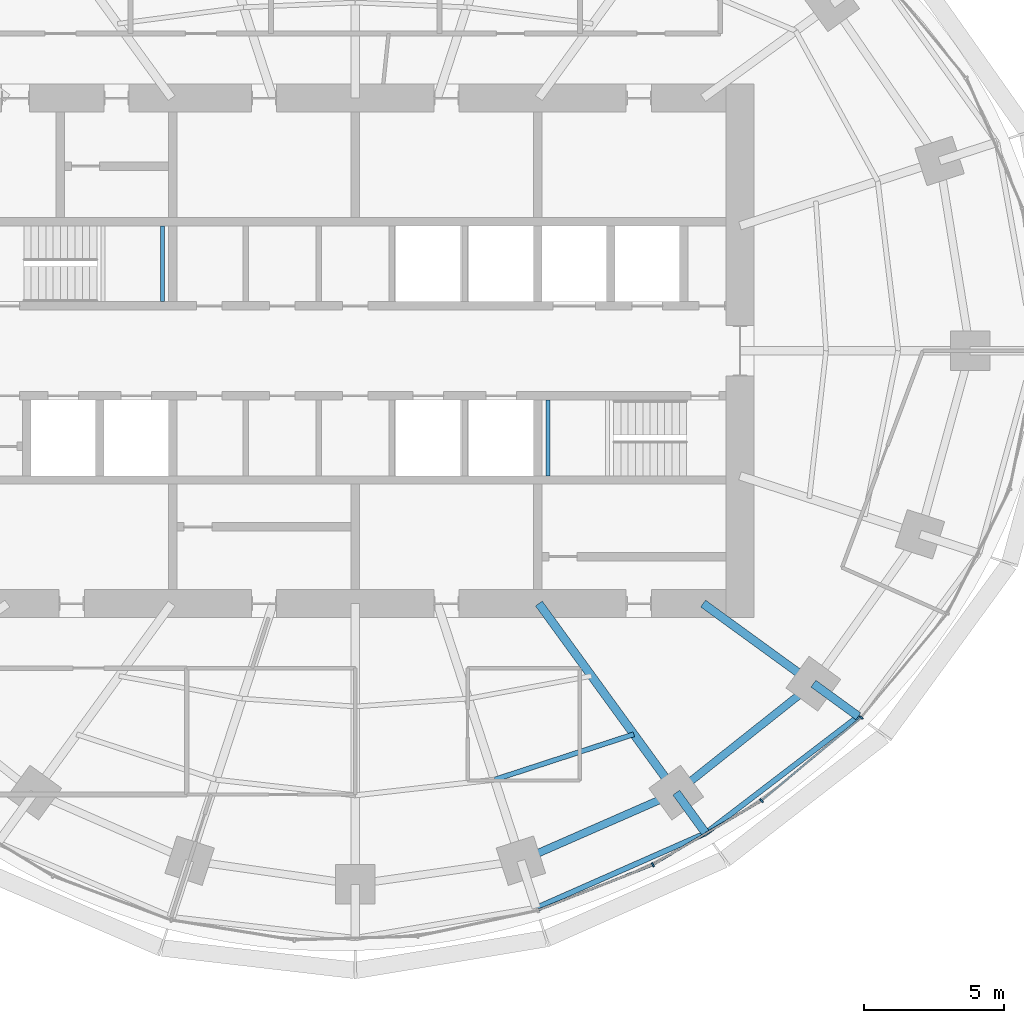
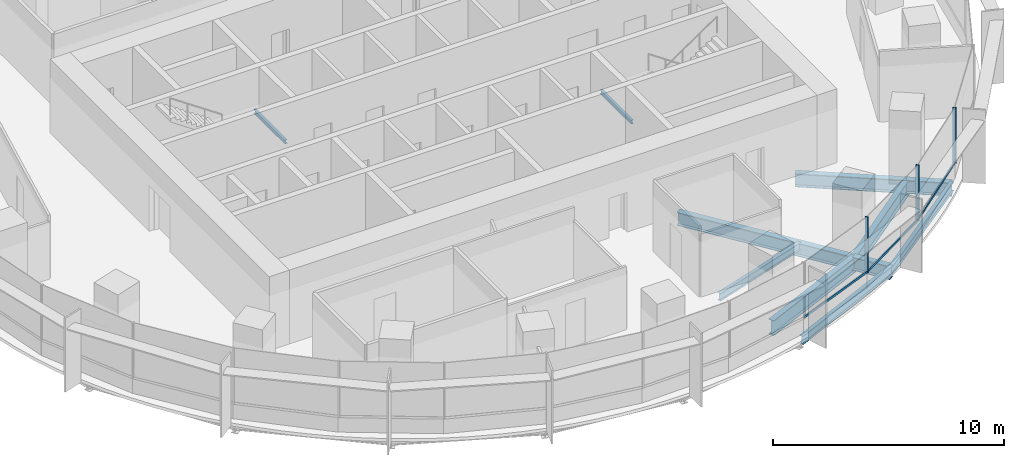
# One storey, part 5 of 14: 11 beams, 6 members, 2 elements without a shape of their own.
"""IFC4 building model written with IfcOpenShell, lengths in metres."""

import ifcopenshell
import ifcopenshell.guid

model = None  # the IFC model being written
_history = None  # IfcOwnerHistory: only IFC2X3 demands one
_inside = {}  # id of a spatial element -> (the spatial element, [elements in it])
_under = {}  # id of a project, library or spatial element -> (it, [spatial elements below it])
_declared = {}  # id of a project -> (the project, [libraries it declares])
_typed = {}  # id of a type object -> (the type object, [elements of that type])
_made_of = {}  # id of a material, layer set ... -> (it, [elements and type objects made of it])


def new_model(schema):
    """Start an empty IFC model of exactly this schema.

    Asked for "IFC4X3", IfcOpenShell would pick the latest addendum, in which some entities
    have other attributes; the version numbers below select the first issue.
    IFC2X3 requires an IfcOwnerHistory on every rooted entity: one is made here for all.
    """
    global model, _history
    if schema == "IFC4X3":
        model = ifcopenshell.file(schema_version=(4, 3, 0, 0))
    else:
        model = ifcopenshell.file(schema=schema)
    _inside.clear()
    _under.clear()
    _declared.clear()
    _typed.clear()
    _made_of.clear()
    _history = None
    if model.schema == "IFC2X3":
        org = make("IfcOrganization", Name="unknown")
        user = make(
            "IfcPersonAndOrganization",
            ThePerson=make("IfcPerson", FamilyName="unknown"),
            TheOrganization=org,
        )
        app = make(
            "IfcApplication",
            ApplicationDeveloper=org,
            Version="unknown",
            ApplicationFullName="unknown",
            ApplicationIdentifier="unknown",
        )
        _history = make(
            "IfcOwnerHistory",
            OwningUser=user,
            OwningApplication=app,
            ChangeAction="ADDED",
            CreationDate=0,
        )
    return model


def make(cls, **values):
    """One entity of the class cls with the attributes given. An attribute that is None is left unset."""
    return model.create_entity(
        cls, **{name: value for name, value in values.items() if value is not None}
    )


def rooted(cls, **values):
    """An entity with a GlobalId (a new one), such as an element, a storey or a relation."""
    return make(cls, GlobalId=ifcopenshell.guid.new(), OwnerHistory=_history, **values)


def si_unit(unit_type, name, prefix=None):
    """IfcSIUnit, for example si_unit("LENGTHUNIT", "METRE", prefix="MILLI")."""
    return make("IfcSIUnit", UnitType=unit_type, Prefix=prefix, Name=name)


def assignment(units):
    """IfcUnitAssignment: the units of a project."""
    return None if units is None else make("IfcUnitAssignment", Units=units)


def point(xyz):
    """IfcCartesianPoint."""
    return None if xyz is None else make("IfcCartesianPoint", Coordinates=xyz)


def direction(xyz):
    """IfcDirection."""
    return None if xyz is None else make("IfcDirection", DirectionRatios=xyz)


def frame(location, z_axis=None, x_axis=None):
    """IfcAxis2Placement3D, a coordinate frame: its origin and axes. An axis left out is left unset."""
    return make(
        "IfcAxis2Placement3D",
        Location=point(location),
        Axis=direction(z_axis),
        RefDirection=direction(x_axis),
    )


def frame_2d(location, x_axis=None):
    """IfcAxis2Placement2D, a coordinate frame in the plane: its origin and x axis."""
    return make(
        "IfcAxis2Placement2D", Location=point(location), RefDirection=direction(x_axis)
    )


def origin():
    """The frame at (0, 0, 0) with its axes left unset."""
    return frame((0.0, 0.0, 0.0))


def origin_2d():
    """The frame at (0, 0) in the plane with its x axis left unset."""
    return frame_2d((0.0, 0.0))


def place(relative_to, where):
    """IfcLocalPlacement: puts the frame where relative to a parent placement (None: the world)."""
    return make(
        "IfcLocalPlacement", PlacementRelTo=relative_to, RelativePlacement=where
    )


def context(
    kind, dimensions, precision=None, world=None, true_north=None, identifier=None
):
    """IfcGeometricRepresentationContext, for example the 3D "Model" context."""
    return make(
        "IfcGeometricRepresentationContext",
        ContextIdentifier=identifier,
        ContextType=kind,
        CoordinateSpaceDimension=dimensions,
        Precision=precision,
        WorldCoordinateSystem=world,
        TrueNorth=true_north,
    )


def subcontext(parent, identifier, kind, view, scale=None):
    """IfcGeometricRepresentationSubContext, for example "Body" below "Model"."""
    return make(
        "IfcGeometricRepresentationSubContext",
        ContextIdentifier=identifier,
        ContextType=kind,
        ParentContext=parent,
        TargetScale=scale,
        TargetView=view,
    )


def project(units=None, contexts=None):
    """IfcProject with its units and contexts."""
    return rooted(
        "IfcProject",
        Name="project",
        RepresentationContexts=contexts,
        UnitsInContext=assignment(units),
    )


def spatial(cls, under=None, at=None, **own):
    """A site, building, storey or space (cls), placed at a placement, below another one or the project."""
    s = rooted(cls, ObjectPlacement=at, **own)
    if under is not None:
        _under.setdefault(under.id(), (under, []))[1].append(s)
    return s


def profile(cls, at=None, kind="AREA", **sizes):
    """A parametric profile (cls). Its sizes go by their IFC names, for example OverallWidth=200.0."""
    return make(cls, ProfileType=kind, Position=at, **sizes)


def rectangle(**sizes):
    """IfcRectangleProfileDef."""
    return profile("IfcRectangleProfileDef", **sizes)


def i_section(**sizes):
    """IfcIShapeProfileDef."""
    return profile("IfcIShapeProfileDef", **sizes)


def extrude(swept, where, along, depth):
    """IfcExtrudedAreaSolid: the profile swept, set in the frame where, extruded along a direction by depth."""
    return make(
        "IfcExtrudedAreaSolid",
        SweptArea=swept,
        Position=where,
        ExtrudedDirection=direction(along),
        Depth=depth,
    )


def shape(context_of_items, identifier, shape_type, items):
    """IfcShapeRepresentation: the items that make up one representation, for example the "Body"."""
    return make(
        "IfcShapeRepresentation",
        ContextOfItems=context_of_items,
        RepresentationIdentifier=identifier,
        RepresentationType=shape_type,
        Items=items,
    )


def material(Name=None, Category=None):
    """IfcMaterial."""
    return make("IfcMaterial", Name=Name, Category=Category)


def material_profile(
    of_material, cross_section, Name=None, Category=None, Priority=None
):
    """IfcMaterialProfile: a cross section and its material."""
    return make(
        "IfcMaterialProfile",
        Name=Name,
        Material=of_material,
        Profile=cross_section,
        Priority=Priority,
        Category=Category,
    )


def profile_set(profiles, Name=None, composite=None):
    """IfcMaterialProfileSet."""
    return make(
        "IfcMaterialProfileSet",
        Name=Name,
        MaterialProfiles=profiles,
        CompositeProfile=composite,
    )


def made_of(thing, what):
    """Note that an element or type object is made of a material, layer set ...; save() writes the relation."""
    if what is not None:
        _made_of.setdefault(what.id(), (what, []))[1].append(thing)
    return thing


def type_object(cls, material=None, **own):
    """A type object (cls), such as IfcWallType, which elements share."""
    return made_of(rooted(cls, **own), material)


def element(
    cls,
    number,
    at=None,
    inside=None,
    cuts=None,
    type_object=None,
    material=None,
    context=None,
    identifier="Body",
    shape_type=None,
    held_by="IfcProductDefinitionShape",
    body=None,
    shapes=None,
    **own,
):
    """One element of the class cls, such as IfcWall. Its Tag is "e" and its number.

    at: its placement. inside: the storey or other place that contains it. cuts: it is an
    opening in that element (IfcRelVoidsElement). A single representation is given by context,
    identifier, shape_type and body (its items); several are given by shapes. held_by: the class
    of the entity that holds the representations. save() writes the other relations.
    """
    e = rooted(cls, Tag="e%d" % number, ObjectPlacement=at, **own)
    if body is not None:
        shapes = [shape(context, identifier, shape_type, body)]
    if shapes is not None:
        e.Representation = make(held_by, Representations=shapes)
    if inside is not None:
        _inside.setdefault(inside.id(), (inside, []))[1].append(e)
    if cuts is not None:
        rooted(
            "IfcRelVoidsElement", RelatingBuildingElement=cuts, RelatedOpeningElement=e
        )
    if type_object is not None:
        _typed.setdefault(type_object.id(), (type_object, []))[1].append(e)
    return made_of(e, material)


def aggregate(whole, parts):
    """IfcRelAggregates: a whole, such as a stair, and the parts it consists of."""
    return rooted("IfcRelAggregates", RelatingObject=whole, RelatedObjects=parts)


def save(model, path):
    """Write the relations noted so far, then the file.

    IfcRelAggregates (storeys below a building ...), IfcRelContainedInSpatialStructure (elements
    in a storey), IfcRelDefinesByType, IfcRelAssociatesMaterial and IfcRelDeclares: one each for
    every whole, place, type object, material and project.
    """
    for whole, parts in _under.values():
        aggregate(whole, parts)
    for where, things in _inside.values():
        rooted(
            "IfcRelContainedInSpatialStructure",
            RelatedElements=things,
            RelatingStructure=where,
        )
    for kind, things in _typed.values():
        rooted("IfcRelDefinesByType", RelatedObjects=things, RelatingType=kind)
    for what, things in _made_of.values():
        rooted("IfcRelAssociatesMaterial", RelatedObjects=things, RelatingMaterial=what)
    for by, libraries in _declared.values():
        rooted("IfcRelDeclares", RelatingContext=by, RelatedDefinitions=libraries)
    model.write(path)


model = new_model("IFC4")

# Units and contexts
model_context = context("Model", 3, precision=1e-05, world=origin(), true_north=direction((0.0, 1.0)))
body_context = subcontext(model_context, "Body", "Model", "MODEL_VIEW")
ifc_project = project(units=[si_unit("LENGTHUNIT", "METRE"), si_unit("AREAUNIT", "SQUARE_METRE"), si_unit("VOLUMEUNIT", "CUBIC_METRE"), si_unit("PLANEANGLEUNIT", "RADIAN"), si_unit("MASSUNIT", "GRAM", prefix="KILO")], contexts=[model_context])

# Site, building, storey
site_placement = place(None, origin())
site = spatial("IfcSite", under=ifc_project, at=site_placement, CompositionType="ELEMENT")
building_placement = place(site_placement, origin())
building = spatial("IfcBuilding", under=site, at=building_placement, Name="Marramba Exchange Tower", CompositionType="ELEMENT")
storey_placement = place(building_placement, frame((0.0, 0.0, 234.5)))
storey = spatial("IfcBuildingStorey", under=building, at=storey_placement, Name="L57", CompositionType="ELEMENT", Elevation=234.5)

# Beams
ifc_material_1 = material(Name="Steel AS/NZS 3679.2 grade 300", Category="steel")
ifc_material_profile_1 = material_profile(ifc_material_1, i_section(OverallWidth=0.300048828125, OverallDepth=0.699951171875, WebThickness=0.010009765625, FlangeThickness=0.031982421875, at=origin_2d()), Name="700WB173")
ifc_profile_set_1 = profile_set([ifc_material_profile_1], Name="Steel AS/NZS 3679.2 grade 300")
beam_type_1 = type_object("IfcBeamType", Name="Cantilever girder 700WB173", PredefinedType="BEAM", material=ifc_profile_set_1)
beam_1_placement = place(storey_placement, frame((11.430419921875, -15.732666015625, -0.510009765625), z_axis=(0.58783009415, -0.808984412959, 0.0), x_axis=(0.808984412959, 0.58783009415, 0.0)))
element("IfcBeam", 1, at=beam_1_placement, inside=storey, type_object=beam_type_1, Name="Cantilever girder L57 TC18", PredefinedType="BEAM", context=body_context, shape_type="SweptSolid", body=[
    extrude(i_section(OverallWidth=0.300048828125, OverallDepth=0.699951171875, WebThickness=0.010009765625, FlangeThickness=0.031982421875, at=origin_2d()), origin(), (0.0, 0.0, 1.0), 1.78515625),
])
beam_2_placement = place(storey_placement, frame((16.3154296875, -11.853759765625, -0.510009765625), z_axis=(0.808970801893, -0.587848825537, 0.0), x_axis=(0.587848825537, 0.808970801893, 0.0)))
element("IfcBeam", 2, at=beam_2_placement, inside=storey, type_object=beam_type_1, Name="Cantilever girder L57 TC19", PredefinedType="BEAM", context=body_context, shape_type="SweptSolid", body=[
    extrude(i_section(OverallWidth=0.300048828125, OverallDepth=0.699951171875, WebThickness=0.010009765625, FlangeThickness=0.031982421875, at=origin_2d()), origin(), (0.0, 0.0, 1.0), 1.978515625),
])
ifc_material_2 = material(Name="Steel AS/NZS 3679.1 grade 300", Category="steel")
ifc_material_profile_2 = material_profile(ifc_material_2, i_section(OverallWidth=0.177978515625, OverallDepth=0.406005859375, WebThickness=0.0078125, FlangeThickness=0.0126953125, FilletRadius=0.011474609375, at=origin_2d()), Name="410UB59.7")
ifc_profile_set_2 = profile_set([ifc_material_profile_2], Name="Steel AS/NZS 3679.1 grade 300")
beam_type_2 = type_object("IfcBeamType", Name="Floor joist 410UB59.7", PredefinedType="JOIST", material=ifc_profile_set_2)
beam_3_placement = place(storey_placement, frame((4.9619140625, -15.271484375, -0.363037109375), z_axis=(0.950764024931, 0.309915744834, 0.0), x_axis=(-0.309915744834, 0.950764024931, 0.0)))
element("IfcBeam", 3, at=beam_3_placement, inside=storey, type_object=beam_type_2, Name="Joist L57 bay 17 row 2", PredefinedType="JOIST", context=body_context, shape_type="SweptSolid", body=[
    extrude(i_section(OverallWidth=0.177978515625, OverallDepth=0.406005859375, WebThickness=0.0078125, FlangeThickness=0.0126953125, FilletRadius=0.011474609375, at=origin_2d()), origin(), (0.0, 0.0, 1.0), 5.2158203125),
])

# Curtain wall, members
ifc_material_3 = material(Name="Aluminium framing, bronze anodised", Category="aluminium")
curtain_wall_type = type_object("IfcCurtainWallType", Name="Office ribbon curtain wall", PredefinedType="USERDEFINED", material=ifc_material_3)
curtain_wall_1_placement = place(storey_placement, origin())
curtain_wall_1 = element("IfcCurtainWall", 4, at=curtain_wall_1_placement, inside=storey, type_object=curtain_wall_type, Name="Curtain wall CW4 L57 F26-F30", ObjectType="RIBBON CURTAIN WALL", PredefinedType="USERDEFINED")
ifc_material_4 = material(Name="Aluminium mullion, bronze anodised", Category="aluminium")
ifc_material_profile_3 = material_profile(ifc_material_4, rectangle(XDim=0.159912109375, YDim=0.06005859375, at=origin_2d()), Name="CW4 mullion 60x160")
ifc_profile_set_3 = profile_set([ifc_material_profile_3], Name="Aluminium mullion, bronze anodised")
member_type_1 = type_object("IfcMemberType", Name="Office ribbon curtain wall mullion", PredefinedType="MULLION", material=ifc_profile_set_3)
member_1_placement = place(storey_placement, frame((10.60009765625, -18.2998046875, 0.800048828125), z_axis=(0.0, 0.0, 1.0), x_axis=(-0.508010571686, 0.861350833897, 0.0)))
member_1 = element("IfcMember", 5, at=member_1_placement, type_object=member_type_1, Name="CW4 mullion 1", PredefinedType="MULLION", context=body_context, shape_type="SweptSolid", body=[
    extrude(rectangle(XDim=0.159912109375, YDim=0.06005859375, at=origin_2d()), origin(), (0.0, 0.0, 1.0), 2.93994140625),
])
member_2_placement = place(storey_placement, frame((14.461669921875, -16.0166015625, 0.800048828125), z_axis=(0.0, 0.0, 1.0), x_axis=(-0.639565270127, 0.768736798421, 0.0)))
member_2 = element("IfcMember", 6, at=member_2_placement, type_object=member_type_1, Name="CW4 mullion 1", PredefinedType="MULLION", context=body_context, shape_type="SweptSolid", body=[
    extrude(rectangle(XDim=0.159912109375, YDim=0.06005859375, at=origin_2d()), origin(), (0.0, 0.0, 1.0), 2.93994140625),
])
member_3_placement = place(storey_placement, frame((18.01611328125, -13.052490234375, 0.800048828125), z_axis=(0.0, 0.0, 1.0), x_axis=(-0.769912069289, 0.63814998673, 0.0)))
member_3 = element("IfcMember", 7, at=member_3_placement, type_object=member_type_1, Name="CW4 mullion 1", PredefinedType="MULLION", context=body_context, shape_type="SweptSolid", body=[
    extrude(rectangle(XDim=0.159912109375, YDim=0.06005859375, at=origin_2d()), origin(), (0.0, 0.0, 1.0), 2.93994140625),
])

# Curtain wall, member
curtain_wall_2_placement = place(storey_placement, origin())
curtain_wall_2 = element("IfcCurtainWall", 8, at=curtain_wall_2_placement, inside=storey, type_object=curtain_wall_type, Name="Curtain wall CW4 L57 F21-F25", ObjectType="RIBBON CURTAIN WALL", PredefinedType="USERDEFINED")
ifc_material_5 = material(Name="Aluminium transom, bronze anodised", Category="aluminium")
ifc_material_profile_4 = material_profile(ifc_material_5, rectangle(XDim=0.06005859375, YDim=0.1201171875, at=origin_2d()), Name="CW4 transom 60x120")
ifc_profile_set_4 = profile_set([ifc_material_profile_4], Name="Aluminium transom, bronze anodised")
member_type_2 = type_object("IfcMemberType", Name="Office ribbon curtain wall transom", PredefinedType="USERDEFINED", material=ifc_profile_set_4)
member_4_placement = place(storey_placement, frame((6.53271484375, -19.911376953125, 0.830078125), z_axis=(0.930068344217, 0.367386547229, 0.0), x_axis=(-0.367386547229, 0.930068344217, 0.0)))
member_4 = element("IfcMember", 9, at=member_4_placement, type_object=member_type_2, Name="CW4 sill transom", ObjectType="TRANSOM", PredefinedType="USERDEFINED", context=body_context, shape_type="SweptSolid", body=[
    extrude(rectangle(XDim=0.06005859375, YDim=0.1201171875, at=origin_2d()), origin(), (0.0, 0.0, 1.0), 4.345458984375),
])
aggregate(curtain_wall_2, [member_4])

# Member
member_5_placement = place(storey_placement, frame((10.6259765625, -18.28466796875, 0.830078125), z_axis=(0.861342387959, 0.508024891816, 0.0), x_axis=(-0.508024891816, 0.861342387959, 0.0)))
member_5 = element("IfcMember", 10, at=member_5_placement, type_object=member_type_2, Name="CW4 sill transom", ObjectType="TRANSOM", PredefinedType="USERDEFINED", context=body_context, shape_type="SweptSolid", body=[
    extrude(rectangle(XDim=0.06005859375, YDim=0.1201171875, at=origin_2d()), origin(), (0.0, 0.0, 1.0), 4.426513671875),
])

member_6_placement = place(storey_placement, frame((14.48486328125, -15.99755859375, 0.830078125), z_axis=(0.768707257272, 0.639600775967, 0.0), x_axis=(-0.639600775967, 0.768707257272, 0.0)))
member_6 = element("IfcMember", 11, at=member_6_placement, type_object=member_type_2, Name="CW4 sill transom", ObjectType="TRANSOM", PredefinedType="USERDEFINED", context=body_context, shape_type="SweptSolid", body=[
    extrude(rectangle(XDim=0.06005859375, YDim=0.1201171875, at=origin_2d()), origin(), (0.0, 0.0, 1.0), 4.568603515625),
])

aggregate(curtain_wall_1, [member_1, member_5, member_2, member_6, member_3])

# Beams
ifc_material_profile_5 = material_profile(ifc_material_1, i_section(OverallWidth=0.300048828125, OverallDepth=0.699951171875, WebThickness=0.010009765625, FlangeThickness=0.031982421875, at=origin_2d()), Name="700WB173")
ifc_profile_set_5 = profile_set([ifc_material_profile_5], Name="Steel AS/NZS 3679.2 grade 300")
beam_type_3 = type_object("IfcBeamType", Name="Radial girder 700WB173", PredefinedType="BEAM", material=ifc_profile_set_5)
beam_4_placement = place(storey_placement, frame((6.538818359375, -9.0, -0.510009765625), z_axis=(0.587787877172, -0.809015087282, 0.0), x_axis=(0.809015087282, 0.587787877172, 0.0)))
element("IfcBeam", 12, at=beam_4_placement, inside=storey, type_object=beam_type_3, Name="Radial girder L57 TC18", PredefinedType="BEAM", context=body_context, shape_type="SweptSolid", body=[
    extrude(i_section(OverallWidth=0.300048828125, OverallDepth=0.699951171875, WebThickness=0.010009765625, FlangeThickness=0.031982421875, at=origin_2d()), origin(), (0.0, 0.0, 1.0), 8.322021484375),
])
beam_5_placement = place(storey_placement, frame((12.387451171875, -9.0, -0.510009765625), z_axis=(0.809025189606, -0.58777397236, 0.0), x_axis=(0.58777397236, 0.809025189606, 0.0)))
element("IfcBeam", 13, at=beam_5_placement, inside=storey, type_object=beam_type_3, Name="Radial girder L57 TC19", PredefinedType="BEAM", context=body_context, shape_type="SweptSolid", body=[
    extrude(i_section(OverallWidth=0.300048828125, OverallDepth=0.699951171875, WebThickness=0.010009765625, FlangeThickness=0.031982421875, at=origin_2d()), origin(), (0.0, 0.0, 1.0), 4.855224609375),
])
ifc_material_profile_6 = material_profile(ifc_material_1, i_section(OverallWidth=0.27490234375, OverallDepth=0.800048828125, WebThickness=0.010009765625, FlangeThickness=0.02490234375, at=origin_2d()), Name="800WB168")
ifc_profile_set_6 = profile_set([ifc_material_profile_6], Name="Steel AS/NZS 3679.2 grade 300")
beam_type_4 = type_object("IfcBeamType", Name="Ring beam 800WB168", PredefinedType="SPANDREL", material=ifc_profile_set_6)
beam_6_placement = place(storey_placement, frame((5.899658203125, -18.156982421875, -0.56005859375), z_axis=(0.915876892158, 0.4014592363, 0.0), x_axis=(-0.4014592363, 0.915876892158, 0.0)))
element("IfcBeam", 14, at=beam_6_placement, inside=storey, type_object=beam_type_4, Name="Ring beam L57 TC17-TC18", PredefinedType="SPANDREL", context=body_context, shape_type="SweptSolid", body=[
    extrude(i_section(OverallWidth=0.27490234375, OverallDepth=0.800048828125, WebThickness=0.010009765625, FlangeThickness=0.02490234375, at=origin_2d()), origin(), (0.0, 0.0, 1.0), 6.038818359375),
])
beam_7_placement = place(storey_placement, frame((11.430419921875, -15.732666015625, -0.56005859375), z_axis=(0.783139438128, 0.621846138887, 0.0), x_axis=(-0.621846138887, 0.783139438128, 0.0)))
element("IfcBeam", 15, at=beam_7_placement, inside=storey, type_object=beam_type_4, Name="Ring beam L57 TC18-TC19", PredefinedType="SPANDREL", context=body_context, shape_type="SweptSolid", body=[
    extrude(i_section(OverallWidth=0.27490234375, OverallDepth=0.800048828125, WebThickness=0.010009765625, FlangeThickness=0.02490234375, at=origin_2d()), origin(), (0.0, 0.0, 1.0), 6.23779296875),
])
ifc_material_profile_7 = material_profile(ifc_material_2, i_section(OverallWidth=0.19091796875, OverallDepth=0.4599609375, WebThickness=0.010009765625, FlangeThickness=0.01611328125, FilletRadius=0.011474609375, at=origin_2d()), Name="460UB82.1")
ifc_profile_set_7 = profile_set([ifc_material_profile_7], Name="Steel AS/NZS 3679.1 grade 300")
beam_type_5 = type_object("IfcBeamType", Name="Slab edge beam 460UB82.1", PredefinedType="SPANDREL", material=ifc_profile_set_7)
beam_8_placement = place(storey_placement, frame((6.44580078125, -19.83837890625, -0.389892578125), z_axis=(0.914940719579, 0.403588255102, 0.0), x_axis=(-0.403588255102, 0.914940719579, 0.0)))
element("IfcBeam", 16, at=beam_8_placement, inside=storey, type_object=beam_type_5, Name="Slab edge beam L57 TC17-TC18", PredefinedType="SPANDREL", context=body_context, shape_type="SweptSolid", body=[
    extrude(i_section(OverallWidth=0.19091796875, OverallDepth=0.4599609375, WebThickness=0.010009765625, FlangeThickness=0.01611328125, FilletRadius=0.011474609375, at=origin_2d()), origin(), (0.0, 0.0, 1.0), 6.594970703125),
])
beam_9_placement = place(storey_placement, frame((12.479736328125, -17.1767578125, -0.389892578125), z_axis=(0.794163423189, 0.607704251481, 0.0), x_axis=(-0.607704251481, 0.794163423189, 0.0)))
element("IfcBeam", 17, at=beam_9_placement, inside=storey, type_object=beam_type_5, Name="Slab edge beam L57 TC18-TC19", PredefinedType="SPANDREL", context=body_context, shape_type="SweptSolid", body=[
    extrude(i_section(OverallWidth=0.19091796875, OverallDepth=0.4599609375, WebThickness=0.010009765625, FlangeThickness=0.01611328125, FilletRadius=0.011474609375, at=origin_2d()), origin(), (0.0, 0.0, 1.0), 6.84521484375),
])
ifc_material_profile_8 = material_profile(ifc_material_2, i_section(OverallWidth=0.133056640625, OverallDepth=0.202880859375, WebThickness=0.005859375, FlangeThickness=0.0078125, FilletRadius=0.0087890625, at=origin_2d()), Name="200UB25.4")
ifc_profile_set_8 = profile_set([ifc_material_profile_8], Name="Steel AS/NZS 3679.1 grade 300")
beam_type_6 = type_object("IfcBeamType", Name="Stair landing beam 200UB25.4", PredefinedType="BEAM", material=ifc_profile_set_8)
for number, where, z_axis, x_axis, name in (
    (18, (-6.866455078125, 1.75, 1.6484375), (0.0, 1.0, 0.0), (-1.0, 0.0, 0.0), "Stair landing beam SLB1 ST1 L57 2"),
    (19, (6.866455078125, -4.449951171875, 1.6484375), (0.0, 1.0, 0.0), (-1.0, 0.0, 0.0), "Stair landing beam SLB1 ST2 L57 1"),
):
    element("IfcBeam", number, at=place(storey_placement, frame(where, z_axis=z_axis, x_axis=x_axis)), inside=storey, type_object=beam_type_6, Name=name, PredefinedType="BEAM", context=body_context, shape_type="SweptSolid", body=[
        extrude(i_section(OverallWidth=0.133056640625, OverallDepth=0.202880859375, WebThickness=0.005859375, FlangeThickness=0.0078125, FilletRadius=0.0087890625, at=origin_2d()), origin(), (0.0, 0.0, 1.0), 2.699951171875),
    ])

save(model, "model.ifc")
